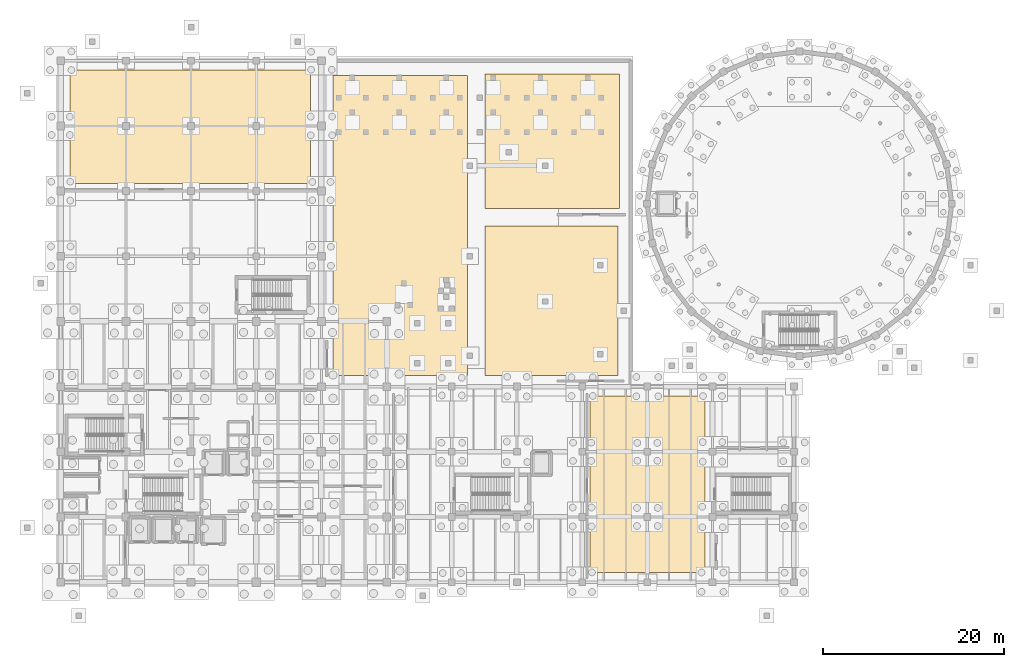
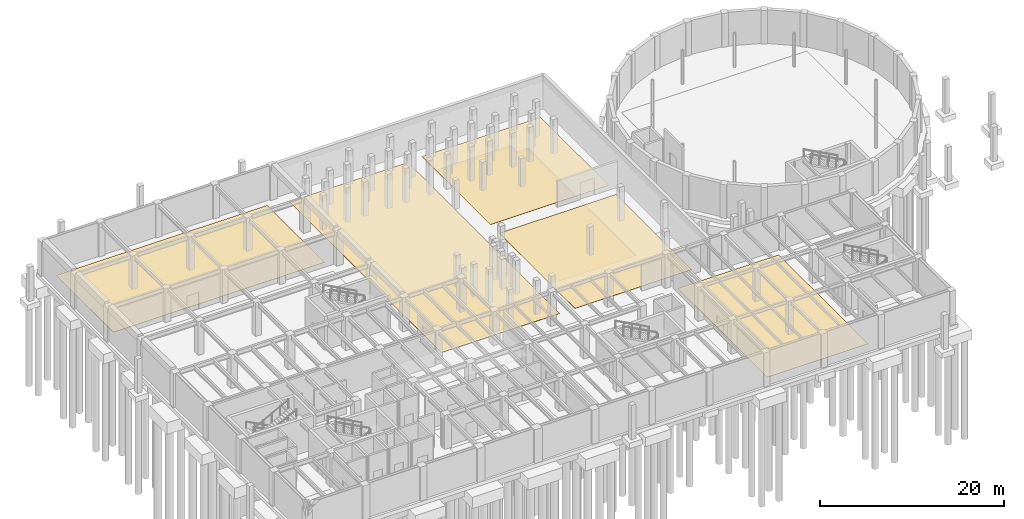
# One storey, part 23 of 26: 5 coverings.
"""IFC4 building model written with IfcOpenShell, lengths in metres."""

from ifc_helpers import new_model, si_unit, direction, frame, origin, place, context, subcontext, project, spatial, polyline, outline, extrude, material, layer, layer_set, type_object, element, save


model = new_model("IFC4")

# Units and contexts
model_context = context("Model", 3, precision=1e-05, world=origin(), true_north=direction((0.0, 1.0)))
body_context = subcontext(model_context, "Body", "Model", "MODEL_VIEW")
ifc_project = project(units=[si_unit("LENGTHUNIT", "METRE"), si_unit("AREAUNIT", "SQUARE_METRE"), si_unit("VOLUMEUNIT", "CUBIC_METRE"), si_unit("PLANEANGLEUNIT", "RADIAN"), si_unit("MASSUNIT", "GRAM", prefix="KILO")], contexts=[model_context])

# Site, building, storey
site_placement = place(None, origin())
site = spatial("IfcSite", under=ifc_project, at=site_placement, CompositionType="ELEMENT")
building_placement = place(site_placement, origin())
building = spatial("IfcBuilding", under=site, at=building_placement, Name="Kandorven Conservatory and Botanical Research Centre", CompositionType="ELEMENT")
storey_placement = place(building_placement, frame((0.0, 0.0, -4.800048828125)))
storey = spatial("IfcBuildingStorey", under=building, at=storey_placement, Name="B01", CompositionType="ELEMENT", Elevation=-4.800048828125)

# Coverings
ifc_material = material(Name="Honed Kota stone and epoxy laboratory flooring", Category="masonry")
ifc_layer = layer(ifc_material, 0.02490234375)
ifc_layer_set = layer_set([ifc_layer], Name="Honed Kota stone and epoxy laboratory flooring")
covering_type = type_object("IfcCoveringType", Name="Cov_Flooring_1", PredefinedType="FLOORING", material=ifc_layer_set)
covering_1_placement = place(storey_placement, origin())
element("IfcCovering", 1, at=covering_1_placement, inside=storey, type_object=covering_type, Name="Floor finish FLR-01 (Fire Pump and 200 m3 Underground Fire Tank Room)", PredefinedType="FLOORING", context=body_context, shape_type="SweptSolid", body=[
    extrude(outline(polyline([(7.050048828125, 50.050048828125), (33.60009765625, 50.050048828125), (33.60009765625, 62.550048828125), (7.050048828125, 62.550048828125), (7.050048828125, 50.050048828125)])), origin(), (0.0, 0.0, 1.0), 0.025146484375),
])
covering_2_placement = place(storey_placement, origin())
element("IfcCovering", 2, at=covering_2_placement, inside=storey, type_object=covering_type, Name="Floor finish FLR-01 (Staff Cycle Store and Locker Room)", PredefinedType="FLOORING", context=body_context, shape_type="SweptSolid", body=[
    extrude(outline(polyline([(64.449951171875, 7.050048828125), (77.14990234375, 7.050048828125), (77.14990234375, 26.550048828125), (64.449951171875, 26.550048828125), (64.449951171875, 7.050048828125)])), origin(), (0.0, 0.0, 1.0), 0.025146484375),
])
covering_3_placement = place(storey_placement, origin())
element("IfcCovering", 3, at=covering_3_placement, inside=storey, type_object=covering_type, Name="Floor finish FLR-01 (Basement Herbarium Duplicate Specimen Vault)", PredefinedType="FLOORING", context=body_context, shape_type="SweptSolid", body=[
    extrude(outline(polyline([(36.050048828125, 28.85009765625), (50.949951171875, 28.85009765625), (50.949951171875, 61.949951171875), (36.050048828125, 61.949951171875), (36.050048828125, 28.85009765625)])), origin(), (0.0, 0.0, 1.0), 0.025146484375),
])
covering_4_placement = place(storey_placement, origin())
element("IfcCovering", 4, at=covering_4_placement, inside=storey, type_object=covering_type, Name="Floor finish FLR-01 (Botanical Germplasm Cold Storage Archive)", PredefinedType="FLOORING", context=body_context, shape_type="SweptSolid", body=[
    extrude(outline(polyline([(52.85009765625, 28.85009765625), (67.550048828125, 28.85009765625), (67.550048828125, 45.35009765625), (52.85009765625, 45.35009765625), (52.85009765625, 28.85009765625)])), origin(), (0.0, 0.0, 1.0), 0.025146484375),
])
covering_5_placement = place(storey_placement, origin())
element("IfcCovering", 5, at=covering_5_placement, inside=storey, type_object=covering_type, Name="Floor finish FLR-01 (Conservatory Growing Media and Horticultural Store)", PredefinedType="FLOORING", context=body_context, shape_type="SweptSolid", body=[
    extrude(outline(polyline([(52.85009765625, 47.25), (67.75, 47.25), (67.75, 62.14990234375), (52.85009765625, 62.14990234375), (52.85009765625, 47.25)])), origin(), (0.0, 0.0, 1.0), 0.025146484375),
])

save(model, "model.ifc")
